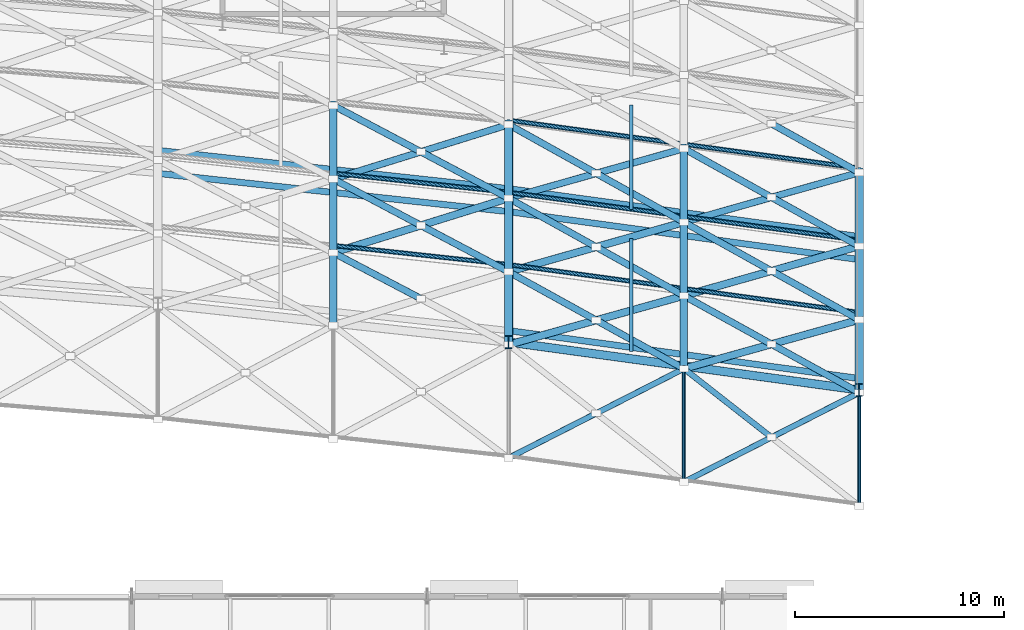
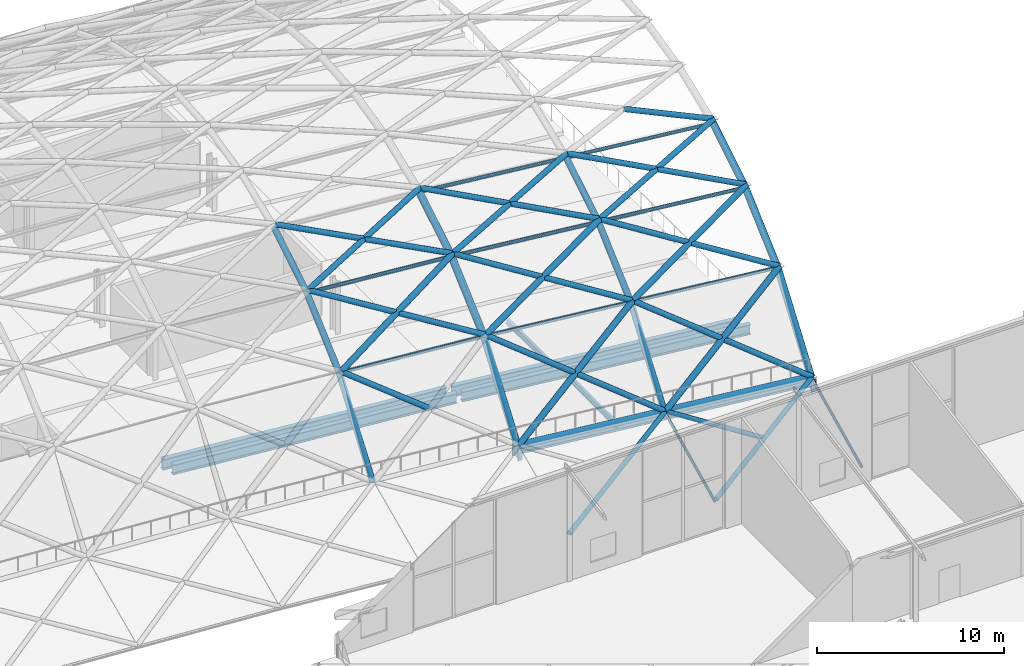
# One storey, part 53 of 100: 55 members, 7 beams.
"""IFC4 building model written with IfcOpenShell, lengths in metres."""

import ifcopenshell
import ifcopenshell.guid

model = None  # the IFC model being written
_history = None  # IfcOwnerHistory: only IFC2X3 demands one
_inside = {}  # id of a spatial element -> (the spatial element, [elements in it])
_under = {}  # id of a project, library or spatial element -> (it, [spatial elements below it])
_declared = {}  # id of a project -> (the project, [libraries it declares])
_typed = {}  # id of a type object -> (the type object, [elements of that type])
_made_of = {}  # id of a material, layer set ... -> (it, [elements and type objects made of it])


def new_model(schema):
    """Start an empty IFC model of exactly this schema.

    Asked for "IFC4X3", IfcOpenShell would pick the latest addendum, in which some entities
    have other attributes; the version numbers below select the first issue.
    IFC2X3 requires an IfcOwnerHistory on every rooted entity: one is made here for all.
    """
    global model, _history
    if schema == "IFC4X3":
        model = ifcopenshell.file(schema_version=(4, 3, 0, 0))
    else:
        model = ifcopenshell.file(schema=schema)
    _inside.clear()
    _under.clear()
    _declared.clear()
    _typed.clear()
    _made_of.clear()
    _history = None
    if model.schema == "IFC2X3":
        org = make("IfcOrganization", Name="unknown")
        user = make(
            "IfcPersonAndOrganization",
            ThePerson=make("IfcPerson", FamilyName="unknown"),
            TheOrganization=org,
        )
        app = make(
            "IfcApplication",
            ApplicationDeveloper=org,
            Version="unknown",
            ApplicationFullName="unknown",
            ApplicationIdentifier="unknown",
        )
        _history = make(
            "IfcOwnerHistory",
            OwningUser=user,
            OwningApplication=app,
            ChangeAction="ADDED",
            CreationDate=0,
        )
    return model


def make(cls, **values):
    """One entity of the class cls with the attributes given. An attribute that is None is left unset."""
    return model.create_entity(
        cls, **{name: value for name, value in values.items() if value is not None}
    )


def rooted(cls, **values):
    """An entity with a GlobalId (a new one), such as an element, a storey or a relation."""
    return make(cls, GlobalId=ifcopenshell.guid.new(), OwnerHistory=_history, **values)


def si_unit(unit_type, name, prefix=None):
    """IfcSIUnit, for example si_unit("LENGTHUNIT", "METRE", prefix="MILLI")."""
    return make("IfcSIUnit", UnitType=unit_type, Prefix=prefix, Name=name)


def assignment(units):
    """IfcUnitAssignment: the units of a project."""
    return None if units is None else make("IfcUnitAssignment", Units=units)


def point(xyz):
    """IfcCartesianPoint."""
    return None if xyz is None else make("IfcCartesianPoint", Coordinates=xyz)


def direction(xyz):
    """IfcDirection."""
    return None if xyz is None else make("IfcDirection", DirectionRatios=xyz)


def frame(location, z_axis=None, x_axis=None):
    """IfcAxis2Placement3D, a coordinate frame: its origin and axes. An axis left out is left unset."""
    return make(
        "IfcAxis2Placement3D",
        Location=point(location),
        Axis=direction(z_axis),
        RefDirection=direction(x_axis),
    )


def frame_2d(location, x_axis=None):
    """IfcAxis2Placement2D, a coordinate frame in the plane: its origin and x axis."""
    return make(
        "IfcAxis2Placement2D", Location=point(location), RefDirection=direction(x_axis)
    )


def origin():
    """The frame at (0, 0, 0) with its axes left unset."""
    return frame((0.0, 0.0, 0.0))


def origin_2d():
    """The frame at (0, 0) in the plane with its x axis left unset."""
    return frame_2d((0.0, 0.0))


def place(relative_to, where):
    """IfcLocalPlacement: puts the frame where relative to a parent placement (None: the world)."""
    return make(
        "IfcLocalPlacement", PlacementRelTo=relative_to, RelativePlacement=where
    )


def context(
    kind, dimensions, precision=None, world=None, true_north=None, identifier=None
):
    """IfcGeometricRepresentationContext, for example the 3D "Model" context."""
    return make(
        "IfcGeometricRepresentationContext",
        ContextIdentifier=identifier,
        ContextType=kind,
        CoordinateSpaceDimension=dimensions,
        Precision=precision,
        WorldCoordinateSystem=world,
        TrueNorth=true_north,
    )


def subcontext(parent, identifier, kind, view, scale=None):
    """IfcGeometricRepresentationSubContext, for example "Body" below "Model"."""
    return make(
        "IfcGeometricRepresentationSubContext",
        ContextIdentifier=identifier,
        ContextType=kind,
        ParentContext=parent,
        TargetScale=scale,
        TargetView=view,
    )


def project(units=None, contexts=None):
    """IfcProject with its units and contexts."""
    return rooted(
        "IfcProject",
        Name="project",
        RepresentationContexts=contexts,
        UnitsInContext=assignment(units),
    )


def spatial(cls, under=None, at=None, **own):
    """A site, building, storey or space (cls), placed at a placement, below another one or the project."""
    s = rooted(cls, ObjectPlacement=at, **own)
    if under is not None:
        _under.setdefault(under.id(), (under, []))[1].append(s)
    return s


def profile(cls, at=None, kind="AREA", **sizes):
    """A parametric profile (cls). Its sizes go by their IFC names, for example OverallWidth=200.0."""
    return make(cls, ProfileType=kind, Position=at, **sizes)


def hollow_circle(**sizes):
    """IfcCircleHollowProfileDef."""
    return profile("IfcCircleHollowProfileDef", **sizes)


def i_section(**sizes):
    """IfcIShapeProfileDef."""
    return profile("IfcIShapeProfileDef", **sizes)


def extrude(swept, where, along, depth):
    """IfcExtrudedAreaSolid: the profile swept, set in the frame where, extruded along a direction by depth."""
    return make(
        "IfcExtrudedAreaSolid",
        SweptArea=swept,
        Position=where,
        ExtrudedDirection=direction(along),
        Depth=depth,
    )


def shape(context_of_items, identifier, shape_type, items):
    """IfcShapeRepresentation: the items that make up one representation, for example the "Body"."""
    return make(
        "IfcShapeRepresentation",
        ContextOfItems=context_of_items,
        RepresentationIdentifier=identifier,
        RepresentationType=shape_type,
        Items=items,
    )


def material(Name=None, Category=None):
    """IfcMaterial."""
    return make("IfcMaterial", Name=Name, Category=Category)


def material_profile(
    of_material, cross_section, Name=None, Category=None, Priority=None
):
    """IfcMaterialProfile: a cross section and its material."""
    return make(
        "IfcMaterialProfile",
        Name=Name,
        Material=of_material,
        Profile=cross_section,
        Priority=Priority,
        Category=Category,
    )


def profile_set(profiles, Name=None, composite=None):
    """IfcMaterialProfileSet."""
    return make(
        "IfcMaterialProfileSet",
        Name=Name,
        MaterialProfiles=profiles,
        CompositeProfile=composite,
    )


def made_of(thing, what):
    """Note that an element or type object is made of a material, layer set ...; save() writes the relation."""
    if what is not None:
        _made_of.setdefault(what.id(), (what, []))[1].append(thing)
    return thing


def type_object(cls, material=None, **own):
    """A type object (cls), such as IfcWallType, which elements share."""
    return made_of(rooted(cls, **own), material)


def element(
    cls,
    number,
    at=None,
    inside=None,
    cuts=None,
    type_object=None,
    material=None,
    context=None,
    identifier="Body",
    shape_type=None,
    held_by="IfcProductDefinitionShape",
    body=None,
    shapes=None,
    **own,
):
    """One element of the class cls, such as IfcWall. Its Tag is "e" and its number.

    at: its placement. inside: the storey or other place that contains it. cuts: it is an
    opening in that element (IfcRelVoidsElement). A single representation is given by context,
    identifier, shape_type and body (its items); several are given by shapes. held_by: the class
    of the entity that holds the representations. save() writes the other relations.
    """
    e = rooted(cls, Tag="e%d" % number, ObjectPlacement=at, **own)
    if body is not None:
        shapes = [shape(context, identifier, shape_type, body)]
    if shapes is not None:
        e.Representation = make(held_by, Representations=shapes)
    if inside is not None:
        _inside.setdefault(inside.id(), (inside, []))[1].append(e)
    if cuts is not None:
        rooted(
            "IfcRelVoidsElement", RelatingBuildingElement=cuts, RelatedOpeningElement=e
        )
    if type_object is not None:
        _typed.setdefault(type_object.id(), (type_object, []))[1].append(e)
    return made_of(e, material)


def aggregate(whole, parts):
    """IfcRelAggregates: a whole, such as a stair, and the parts it consists of."""
    return rooted("IfcRelAggregates", RelatingObject=whole, RelatedObjects=parts)


def save(model, path):
    """Write the relations noted so far, then the file.

    IfcRelAggregates (storeys below a building ...), IfcRelContainedInSpatialStructure (elements
    in a storey), IfcRelDefinesByType, IfcRelAssociatesMaterial and IfcRelDeclares: one each for
    every whole, place, type object, material and project.
    """
    for whole, parts in _under.values():
        aggregate(whole, parts)
    for where, things in _inside.values():
        rooted(
            "IfcRelContainedInSpatialStructure",
            RelatedElements=things,
            RelatingStructure=where,
        )
    for kind, things in _typed.values():
        rooted("IfcRelDefinesByType", RelatedObjects=things, RelatingType=kind)
    for what, things in _made_of.values():
        rooted("IfcRelAssociatesMaterial", RelatedObjects=things, RelatingMaterial=what)
    for by, libraries in _declared.values():
        rooted("IfcRelDeclares", RelatingContext=by, RelatedDefinitions=libraries)
    model.write(path)


model = new_model("IFC4")

# Units and contexts
model_context = context("Model", 3, precision=1e-05, world=origin(), true_north=direction((0.0, 1.0)))
body_context = subcontext(model_context, "Body", "Model", "MODEL_VIEW")
ifc_project = project(units=[si_unit("LENGTHUNIT", "METRE"), si_unit("AREAUNIT", "SQUARE_METRE"), si_unit("VOLUMEUNIT", "CUBIC_METRE"), si_unit("PLANEANGLEUNIT", "RADIAN"), si_unit("MASSUNIT", "GRAM", prefix="KILO")], contexts=[model_context])

# Site, building, storey
site_placement = place(None, origin())
site = spatial("IfcSite", under=ifc_project, at=site_placement, CompositionType="ELEMENT")
building_placement = place(site_placement, origin())
building = spatial("IfcBuilding", under=site, at=building_placement, Name="Kimbaza Rail Terminus", CompositionType="ELEMENT")
storey_placement = place(building_placement, frame((0.0, 0.0, 10.800048828125)))
storey = spatial("IfcBuildingStorey", under=building, at=storey_placement, Name="L02", CompositionType="ELEMENT", Elevation=10.800048828125)

# Beams
ifc_material_1 = material(Name="Steel S355", Category="steel")
ifc_material_profile_1 = material_profile(ifc_material_1, i_section(OverallWidth=0.300048828125, OverallDepth=0.64990234375, WebThickness=0.01611328125, FlangeThickness=0.031005859375, FilletRadius=0.027099609375, at=origin_2d()), Name="HEB 650")
ifc_profile_set_1 = profile_set([ifc_material_profile_1], Name="Steel S355")
beam_type_1 = type_object("IfcBeamType", Name="STR-BM-HEB650", PredefinedType="USERDEFINED", material=ifc_profile_set_1)
beam_1_placement = place(storey_placement, frame((172.944091796875, 58.23974609375, -0.5849609375), z_axis=(0.994106987183, -0.108403404165, 0.0), x_axis=(0.108403404165, 0.994106987183, 0.0)))
element("IfcBeam", 1, at=beam_1_placement, inside=storey, type_object=beam_type_1, Name="Viaduct Chorded Girder P1 Bay 10", ObjectType="GIRDER", PredefinedType="USERDEFINED", context=body_context, shape_type="SweptSolid", body=[
    extrude(i_section(OverallWidth=0.300048828125, OverallDepth=0.64990234375, WebThickness=0.01611328125, FlangeThickness=0.031005859375, FilletRadius=0.027099609375, at=origin_2d()), origin(), (0.0, 0.0, 1.0), 16.609619140625),
])
for number, where, z_axis, x_axis, name in (
    (2, (189.74365234375, 50.703857421875, -0.5849609375), (0.990777321611, -0.135500180745, 0.0), (0.135500180745, 0.990777321611, 0.0), "Viaduct Chorded Girder P1 Bay 11"),
    (3, (189.74365234375, 56.404052734375, -0.5849609375), (0.990777321611, -0.135500180745, 0.0), (0.135500180745, 0.990777321611, 0.0), "Viaduct Chorded Girder P1 Bay 11"),
):
    element("IfcBeam", number, at=place(storey_placement, frame(where, z_axis=z_axis, x_axis=x_axis)), inside=storey, type_object=beam_type_1, Name=name, ObjectType="GIRDER", PredefinedType="USERDEFINED", context=body_context, shape_type="SweptSolid", body=[
        extrude(i_section(OverallWidth=0.300048828125, OverallDepth=0.64990234375, WebThickness=0.01611328125, FlangeThickness=0.031005859375, FilletRadius=0.027099609375, at=origin_2d()), origin(), (0.0, 0.0, 1.0), 16.66650390625),
    ])
ifc_material_2 = material(Name="Steel S355", Category="steel")
ifc_material_profile_2 = material_profile(ifc_material_2, i_section(OverallWidth=0.300048828125, OverallDepth=0.699951171875, WebThickness=0.01708984375, FlangeThickness=0.031982421875, FilletRadius=0.027099609375, at=origin_2d()), Name="HEB 700")
ifc_profile_set_2 = profile_set([ifc_material_profile_2], Name="Steel S355")
beam_type_2 = type_object("IfcBeamType", Name="STR-BM-HEB700", PredefinedType="USERDEFINED", material=ifc_profile_set_2)
beam_2_placement = place(storey_placement, frame((172.944091796875, 59.339599609375, -0.920166015625), z_axis=(0.994108571086, -0.108388878093, 0.0), x_axis=(0.108388878093, 0.994108571086, 0.0)))
element("IfcBeam", 4, at=beam_2_placement, inside=storey, type_object=beam_type_2, Name="Viaduct Chorded Girder TR12 Bay 10", ObjectType="GIRDER", PredefinedType="USERDEFINED", context=body_context, shape_type="SweptSolid", body=[
    extrude(i_section(OverallWidth=0.300048828125, OverallDepth=0.699951171875, WebThickness=0.01708984375, FlangeThickness=0.031982421875, FilletRadius=0.027099609375, at=origin_2d()), origin(), (0.0, 0.0, 1.0), 16.609619140625),
])
beam_3_placement = place(storey_placement, frame((189.74365234375, 57.50390625, -0.920166015625), z_axis=(0.990777321611, -0.135500180745, 0.0), x_axis=(0.135500180745, 0.990777321611, 0.0)))
element("IfcBeam", 5, at=beam_3_placement, inside=storey, type_object=beam_type_2, Name="Viaduct Chorded Girder TR12 Bay 11", ObjectType="GIRDER", PredefinedType="USERDEFINED", context=body_context, shape_type="SweptSolid", body=[
    extrude(i_section(OverallWidth=0.300048828125, OverallDepth=0.699951171875, WebThickness=0.01708984375, FlangeThickness=0.031982421875, FilletRadius=0.027099609375, at=origin_2d()), origin(), (0.0, 0.0, 1.0), 16.66650390625),
])
ifc_material_3 = material(Name="Steel S355", Category="steel")
ifc_material_profile_3 = material_profile(ifc_material_3, i_section(OverallWidth=0.169921875, OverallDepth=0.360107421875, WebThickness=0.008056640625, FlangeThickness=0.0126953125, FilletRadius=0.01806640625, at=origin_2d()), Name="IPE 360")
ifc_profile_set_3 = profile_set([ifc_material_profile_3], Name="Steel S355")
beam_type_3 = type_object("IfcBeamType", Name="STR-BM-IPE360", PredefinedType="JOIST", material=ifc_profile_set_3)
beam_4_placement = place(storey_placement, frame((195.47998046875, 49.7197265625, -0.43994140625), z_axis=(0.0, 1.0, 0.0), x_axis=(-1.0, 0.0, 0.0)))
element("IfcBeam", 6, at=beam_4_placement, inside=storey, type_object=beam_type_3, Name="Viaduct Diaphragm P1 Bay 11", PredefinedType="JOIST", context=body_context, shape_type="SweptSolid", body=[
    extrude(i_section(OverallWidth=0.169921875, OverallDepth=0.360107421875, WebThickness=0.008056640625, FlangeThickness=0.0126953125, FilletRadius=0.01806640625, at=origin_2d()), origin(), (0.0, 0.0, 1.0), 5.41015625),
])
beam_5_placement = place(storey_placement, frame((195.47998046875, 56.519775390625, -0.75), z_axis=(0.0, 1.0, 0.0), x_axis=(-1.0, 0.0, 0.0)))
element("IfcBeam", 7, at=beam_5_placement, inside=storey, type_object=beam_type_3, Name="Viaduct Diaphragm TR12 Bay 11", PredefinedType="JOIST", context=body_context, shape_type="SweptSolid", body=[
    extrude(i_section(OverallWidth=0.169921875, OverallDepth=0.360107421875, WebThickness=0.008056640625, FlangeThickness=0.0126953125, FilletRadius=0.01806640625, at=origin_2d()), origin(), (0.0, 0.0, 1.0), 5.010009765625),
])

# Members
ifc_material_4 = material(Name="White painted steel S355", Category="steel")
ifc_material_profile_4 = material_profile(ifc_material_4, hollow_circle(Radius=0.084228515625, WallThickness=0.00634765625, at=origin_2d()), Name="CHS 168.3x6.3")
ifc_profile_set_4 = profile_set([ifc_material_profile_4], Name="White painted steel S355")
member_type_1 = type_object("IfcMemberType", Name="STR-MB-CHS168", PredefinedType="RAFTER", material=ifc_profile_set_4)
for number, where, z_axis, x_axis, name in (
    (8, (198.0, 43.574462890625, -2.609375), (0.0, 0.901963905621, 0.431811432174), (-1.0, 0.0, 0.0), "Vault lattice arch chord VR-21 seg 1"),
    (9, (206.39990234375, 42.425537109375, -2.609375), (0.0, 0.901963905621, 0.431811432174), (-1.0, 0.0, 0.0), "Vault lattice arch chord VR-22 seg 1"),
):
    element("IfcMember", number, at=place(storey_placement, frame(where, z_axis=z_axis, x_axis=x_axis)), inside=storey, type_object=member_type_1, Name=name, PredefinedType="RAFTER", context=body_context, shape_type="SweptSolid", body=[
        extrude(hollow_circle(Radius=0.084228515625, WallThickness=0.00634765625, at=origin_2d()), origin(), (0.0, 0.0, 1.0), 6.04296875),
    ])
ifc_material_5 = material(Name="White painted steel S355", Category="steel")
ifc_material_profile_5 = material_profile(ifc_material_5, hollow_circle(Radius=0.109619140625, WallThickness=0.008056640625, at=origin_2d()), Name="CHS 219.1x8")
ifc_profile_set_5 = profile_set([ifc_material_profile_5], Name="White painted steel S355")
member_type_2 = type_object("IfcMemberType", Name="STR-MB-CHS219", PredefinedType="PURLIN", material=ifc_profile_set_5)
for number, where, z_axis, x_axis, name in (
    (10, (181.199951171875, 54.80419921875, 4.85205078125), (0.994109932891, -0.108376387313, 0.0), (0.108376387313, 0.994109932891, 0.0), "Vault lattice longitudinal purlin VR-19-VA02"),
    (11, (181.199951171875, 58.26123046875, 7.9716796875), (0.994109932891, -0.108376387313, 0.0), (0.108376387313, 0.994109932891, 0.0), "Vault lattice longitudinal purlin VR-19-VA03"),
):
    element("IfcMember", number, at=place(storey_placement, frame(where, z_axis=z_axis, x_axis=x_axis)), inside=storey, type_object=member_type_2, Name=name, PredefinedType="PURLIN", context=body_context, shape_type="SweptSolid", body=[
        extrude(hollow_circle(Radius=0.109619140625, WallThickness=0.008056640625, at=origin_2d()), origin(), (0.0, 0.0, 1.0), 8.449951171875),
    ])
for number, where, z_axis, x_axis, name in (
    (12, (189.60009765625, 53.888427734375, 4.85205078125), (0.990775062808, -0.135516696087, 0.0), (0.135516696087, 0.990775062808, 0.0), "Vault lattice longitudinal purlin VR-20-VA02"),
    (13, (189.60009765625, 57.345458984375, 7.9716796875), (0.990775062808, -0.135516696087, 0.0), (0.135516696087, 0.990775062808, 0.0), "Vault lattice longitudinal purlin VR-20-VA03"),
    (14, (189.60009765625, 60.802490234375, 10.078857421875), (0.990778928837, -0.135488428186, 0.0), (0.135488428186, 0.990778928837, 0.0), "Vault lattice longitudinal purlin VR-20-VA04"),
    (15, (198.0, 52.739501953125, 4.85205078125), (0.990778928837, -0.135488428186, 0.0), (0.135488428186, 0.990778928837, 0.0), "Vault lattice longitudinal purlin VR-21-VA02"),
    (16, (198.0, 56.196533203125, 7.9716796875), (0.990778928837, -0.135488428186, 0.0), (0.135488428186, 0.990778928837, 0.0), "Vault lattice longitudinal purlin VR-21-VA03"),
    (17, (198.0, 59.65380859375, 10.078857421875), (0.990775062808, -0.135516696087, 0.0), (0.135516696087, 0.990775062808, 0.0), "Vault lattice longitudinal purlin VR-21-VA04"),
):
    element("IfcMember", number, at=place(storey_placement, frame(where, z_axis=z_axis, x_axis=x_axis)), inside=storey, type_object=member_type_2, Name=name, PredefinedType="PURLIN", context=body_context, shape_type="SweptSolid", body=[
        extrude(hollow_circle(Radius=0.109619140625, WallThickness=0.008056640625, at=origin_2d()), origin(), (0.0, 0.0, 1.0), 8.47802734375),
    ])
ifc_material_6 = material(Name="White painted steel S355", Category="steel")
ifc_material_profile_6 = material_profile(ifc_material_6, hollow_circle(Radius=0.136474609375, WallThickness=0.010009765625, at=origin_2d()), Name="CHS 273x10")
ifc_profile_set_6 = profile_set([ifc_material_profile_6], Name="White painted steel S355")
member_type_3 = type_object("IfcMemberType", Name="STR-MB-CHS273", PredefinedType="STRUT", material=ifc_profile_set_6)
for number, where, z_axis, x_axis, name in (
    (18, (189.60009765625, 44.61572265625, -2.37255859375), (0.862472179938, 0.439934510199, 0.250198652211), (-0.454386489216, 0.890804646608, 0.0), "Vault lattice diagonal A VR-20-VA00"),
    (19, (198.0, 43.467041015625, -2.37255859375), (0.862472179938, 0.439934510199, 0.250198652211), (-0.454386489216, 0.890804646608, 0.0), "Vault lattice diagonal A VR-21-VA00"),
):
    element("IfcMember", number, at=place(storey_placement, frame(where, z_axis=z_axis, x_axis=x_axis)), inside=storey, type_object=member_type_3, Name=name, PredefinedType="STRUT", context=body_context, shape_type="SweptSolid", body=[
        extrude(hollow_circle(Radius=0.136474609375, WallThickness=0.010009765625, at=origin_2d()), origin(), (0.0, 0.0, 1.0), 9.7392578125),
    ])
member_1_placement = place(storey_placement, frame((202.199951171875, 45.609375, -1.154296875), z_axis=(-0.767376747594, 0.6013043398, 0.222634270025), x_axis=(-0.616784371104, -0.787132161432, 0.0)))
element("IfcMember", 20, at=member_1_placement, inside=storey, type_object=member_type_3, Name="Vault lattice diagonal B2 VR-21-VA00", PredefinedType="STRUT", context=body_context, shape_type="SweptSolid", body=[
    extrude(hollow_circle(Radius=0.136474609375, WallThickness=0.010009765625, at=origin_2d()), origin(), (0.0, 0.0, 1.0), 5.47314453125),
])
ifc_material_7 = material(Name="White painted steel S355", Category="steel")
ifc_material_profile_7 = material_profile(ifc_material_7, hollow_circle(Radius=0.161865234375, WallThickness=0.010009765625, at=origin_2d()), Name="CHS 323.9x10")
ifc_profile_set_7 = profile_set([ifc_material_profile_7], Name="White painted steel S355")
member_type_4 = type_object("IfcMemberType", Name="STR-MB-CHS323", PredefinedType="STRUT", material=ifc_profile_set_7)
member_2_placement = place(storey_placement, frame((185.39990234375, 52.252685546875, 2.615966796875), z_axis=(-0.779817656021, 0.409151552825, 0.473792602495), x_axis=(-0.464608919448, -0.88551598064, 0.0)))
element("IfcMember", 21, at=member_2_placement, inside=storey, type_object=member_type_4, Name="Vault lattice diagonal B2 VR-19-VA01", PredefinedType="STRUT", context=body_context, shape_type="SweptSolid", body=[
    extrude(hollow_circle(Radius=0.161865234375, WallThickness=0.010009765625, at=origin_2d()), origin(), (0.0, 0.0, 1.0), 5.3857421875),
])
for number, where, z_axis, x_axis, name in (
    (22, (189.60009765625, 53.540283203125, 5.167724609375), (-0.838237197066, 0.443285399843, 0.317579054317), (-0.467486326026, -0.884000302589, 0.0), "Vault lattice diagonal B1 VR-19-VA02"),
    (23, (185.39990234375, 55.761474609375, 6.759033203125), (-0.83820460174, 0.443342653678, 0.317585165037), (-0.467547714731, -0.883967835642, 0.0), "Vault lattice diagonal B2 VR-19-VA02"),
):
    element("IfcMember", number, at=place(storey_placement, frame(where, z_axis=z_axis, x_axis=x_axis)), inside=storey, type_object=member_type_4, Name=name, PredefinedType="STRUT", context=body_context, shape_type="SweptSolid", body=[
        extrude(hollow_circle(Radius=0.161865234375, WallThickness=0.010009765625, at=origin_2d()), origin(), (0.0, 0.0, 1.0), 5.0107421875),
    ])
member_3_placement = place(storey_placement, frame((181.199951171875, 57.98291015625, 8.350341796875), z_axis=(0.927654278629, 0.288296195582, 0.237366473946), x_axis=(-0.296778060516, 0.95494648164, 0.0)))
element("IfcMember", 24, at=member_3_placement, inside=storey, type_object=member_type_4, Name="Vault lattice diagonal A VR-19-VA03", PredefinedType="STRUT", context=body_context, shape_type="SweptSolid", body=[
    extrude(hollow_circle(Radius=0.161865234375, WallThickness=0.010009765625, at=origin_2d()), origin(), (0.0, 0.0, 1.0), 9.05517578125),
])
member_4_placement = place(storey_placement, frame((189.60009765625, 57.06689453125, 8.350341796875), z_axis=(-0.862199364822, 0.456007441323, 0.220611578932), x_axis=(-0.467526478486, -0.883979067577, 0.0)))
element("IfcMember", 25, at=member_4_placement, inside=storey, type_object=member_type_4, Name="Vault lattice diagonal B1 VR-19-VA03", PredefinedType="STRUT", context=body_context, shape_type="SweptSolid", body=[
    extrude(hollow_circle(Radius=0.161865234375, WallThickness=0.010009765625, at=origin_2d()), origin(), (0.0, 0.0, 1.0), 4.87158203125),
])
member_5_placement = place(storey_placement, frame((185.39990234375, 59.288330078125, 9.425048828125), z_axis=(-0.862206208714, 0.455987449101, 0.220626154203), x_axis=(-0.467507561467, -0.883989072314, 0.0)))
element("IfcMember", 26, at=member_5_placement, inside=storey, type_object=member_type_4, Name="Vault lattice diagonal B2 VR-19-VA03", PredefinedType="STRUT", context=body_context, shape_type="SweptSolid", body=[
    extrude(hollow_circle(Radius=0.161865234375, WallThickness=0.010009765625, at=origin_2d()), origin(), (0.0, 0.0, 1.0), 4.87109375),
])
member_6_placement = place(storey_placement, frame((198.0, 48.900390625, 0.064208984375), z_axis=(-0.772846224384, 0.426878150561, 0.4695569806), x_axis=(-0.483494281718, -0.875347519301, 0.0)))
element("IfcMember", 27, at=member_6_placement, inside=storey, type_object=member_type_4, Name="Vault lattice diagonal B1 VR-20-VA01", PredefinedType="STRUT", context=body_context, shape_type="SweptSolid", body=[
    extrude(hollow_circle(Radius=0.161865234375, WallThickness=0.010009765625, at=origin_2d()), origin(), (0.0, 0.0, 1.0), 5.434326171875),
])
member_7_placement = place(storey_placement, frame((193.800048828125, 51.22021484375, 2.615966796875), z_axis=(-0.772831402743, 0.426914888116, 0.469547975439), x_axis=(-0.483533268851, -0.875325983799, 0.0)))
element("IfcMember", 28, at=member_7_placement, inside=storey, type_object=member_type_4, Name="Vault lattice diagonal B2 VR-20-VA01", PredefinedType="STRUT", context=body_context, shape_type="SweptSolid", body=[
    extrude(hollow_circle(Radius=0.161865234375, WallThickness=0.010009765625, at=origin_2d()), origin(), (0.0, 0.0, 1.0), 5.4345703125),
])
for number, where, z_axis, x_axis, name in (
    (29, (198.0, 52.3916015625, 5.167724609375), (-0.829498011625, 0.461689441453, 0.314286347717), (-0.486332783542, -0.873773668436, 0.0), "Vault lattice diagonal B1 VR-20-VA02"),
    (30, (193.800048828125, 54.729248046875, 6.759033203125), (-0.829498011625, 0.461689441453, 0.314286347717), (-0.486332783542, -0.873773668436, 0.0), "Vault lattice diagonal B2 VR-20-VA02"),
):
    element("IfcMember", number, at=place(storey_placement, frame(where, z_axis=z_axis, x_axis=x_axis)), inside=storey, type_object=member_type_4, Name=name, PredefinedType="STRUT", context=body_context, shape_type="SweptSolid", body=[
        extrude(hollow_circle(Radius=0.161865234375, WallThickness=0.010009765625, at=origin_2d()), origin(), (0.0, 0.0, 1.0), 5.063232421875),
    ])
member_8_placement = place(storey_placement, frame((189.60009765625, 57.06689453125, 8.350341796875), z_axis=(0.934286738554, 0.264487381082, 0.239070523927), x_axis=(-0.272385973351, 0.962188069725, 0.0)))
element("IfcMember", 31, at=member_8_placement, inside=storey, type_object=member_type_4, Name="Vault lattice diagonal A VR-20-VA03", PredefinedType="STRUT", context=body_context, shape_type="SweptSolid", body=[
    extrude(hollow_circle(Radius=0.161865234375, WallThickness=0.010009765625, at=origin_2d()), origin(), (0.0, 0.0, 1.0), 8.99072265625),
])
for number, where, z_axis, x_axis, name in (
    (32, (198.0, 55.918212890625, 8.350341796875), (-0.852719545085, 0.474614290774, 0.218198653576), (-0.486332783542, -0.873773668436, 0.0), "Vault lattice diagonal B1 VR-20-VA03"),
    (33, (193.800048828125, 58.255859375, 9.425048828125), (-0.852719545085, 0.474614290774, 0.218198653576), (-0.486332783542, -0.873773668436, 0.0), "Vault lattice diagonal B2 VR-20-VA03"),
):
    element("IfcMember", number, at=place(storey_placement, frame(where, z_axis=z_axis, x_axis=x_axis)), inside=storey, type_object=member_type_4, Name=name, PredefinedType="STRUT", context=body_context, shape_type="SweptSolid", body=[
        extrude(hollow_circle(Radius=0.161865234375, WallThickness=0.010009765625, at=origin_2d()), origin(), (0.0, 0.0, 1.0), 4.92529296875),
    ])
member_9_placement = place(storey_placement, frame((206.39990234375, 47.751708984375, 0.064208984375), z_axis=(-0.772846224384, 0.426878150561, 0.4695569806), x_axis=(-0.483494281718, -0.875347519301, 0.0)))
element("IfcMember", 34, at=member_9_placement, inside=storey, type_object=member_type_4, Name="Vault lattice diagonal B1 VR-21-VA01", PredefinedType="STRUT", context=body_context, shape_type="SweptSolid", body=[
    extrude(hollow_circle(Radius=0.161865234375, WallThickness=0.010009765625, at=origin_2d()), origin(), (0.0, 0.0, 1.0), 5.434326171875),
])
member_10_placement = place(storey_placement, frame((202.199951171875, 50.071533203125, 2.615966796875), z_axis=(-0.772831402743, 0.426914888116, 0.469547975439), x_axis=(-0.483533268851, -0.875325983799, 0.0)))
element("IfcMember", 35, at=member_10_placement, inside=storey, type_object=member_type_4, Name="Vault lattice diagonal B2 VR-21-VA01", PredefinedType="STRUT", context=body_context, shape_type="SweptSolid", body=[
    extrude(hollow_circle(Radius=0.161865234375, WallThickness=0.010009765625, at=origin_2d()), origin(), (0.0, 0.0, 1.0), 5.4345703125),
])
member_11_placement = place(storey_placement, frame((206.39990234375, 51.24267578125, 5.167724609375), z_axis=(-0.829498011625, 0.461689441453, 0.314286347717), x_axis=(-0.486332783542, -0.873773668436, 0.0)))
element("IfcMember", 36, at=member_11_placement, inside=storey, type_object=member_type_4, Name="Vault lattice diagonal B1 VR-21-VA02", PredefinedType="STRUT", context=body_context, shape_type="SweptSolid", body=[
    extrude(hollow_circle(Radius=0.161865234375, WallThickness=0.010009765625, at=origin_2d()), origin(), (0.0, 0.0, 1.0), 5.063232421875),
])
member_12_placement = place(storey_placement, frame((202.199951171875, 53.580322265625, 6.759033203125), z_axis=(-0.829479545124, 0.461727380347, 0.314279350992), x_axis=(-0.486371560754, -0.873752084341, 0.0)))
element("IfcMember", 37, at=member_12_placement, inside=storey, type_object=member_type_4, Name="Vault lattice diagonal B2 VR-21-VA02", PredefinedType="STRUT", context=body_context, shape_type="SweptSolid", body=[
    extrude(hollow_circle(Radius=0.161865234375, WallThickness=0.010009765625, at=origin_2d()), origin(), (0.0, 0.0, 1.0), 5.0634765625),
])
member_13_placement = place(storey_placement, frame((198.0, 55.918212890625, 8.350341796875), z_axis=(0.934286738554, 0.264487381082, 0.239070523927), x_axis=(-0.272385973351, 0.962188069725, 0.0)))
element("IfcMember", 38, at=member_13_placement, inside=storey, type_object=member_type_4, Name="Vault lattice diagonal A VR-21-VA03", PredefinedType="STRUT", context=body_context, shape_type="SweptSolid", body=[
    extrude(hollow_circle(Radius=0.161865234375, WallThickness=0.010009765625, at=origin_2d()), origin(), (0.0, 0.0, 1.0), 8.99072265625),
])
member_14_placement = place(storey_placement, frame((206.39990234375, 54.769287109375, 8.350341796875), z_axis=(-0.852699483908, 0.474652691851, 0.21819352021), x_axis=(-0.486371560754, -0.873752084341, 0.0)))
element("IfcMember", 39, at=member_14_placement, inside=storey, type_object=member_type_4, Name="Vault lattice diagonal B1 VR-21-VA03", PredefinedType="STRUT", context=body_context, shape_type="SweptSolid", body=[
    extrude(hollow_circle(Radius=0.161865234375, WallThickness=0.010009765625, at=origin_2d()), origin(), (0.0, 0.0, 1.0), 4.925537109375),
])
member_15_placement = place(storey_placement, frame((202.199951171875, 57.107177734375, 9.425048828125), z_axis=(-0.852719545085, 0.474614290774, 0.218198653576), x_axis=(-0.486332783542, -0.873773668436, 0.0)))
element("IfcMember", 40, at=member_15_placement, inside=storey, type_object=member_type_4, Name="Vault lattice diagonal B2 VR-21-VA03", PredefinedType="STRUT", context=body_context, shape_type="SweptSolid", body=[
    extrude(hollow_circle(Radius=0.161865234375, WallThickness=0.010009765625, at=origin_2d()), origin(), (0.0, 0.0, 1.0), 4.92529296875),
])
member_16_placement = place(storey_placement, frame((206.39990234375, 58.296142578125, 10.499755859375), z_axis=(-0.864503235917, 0.481172963082, 0.145281570368), x_axis=(-0.486332783542, -0.873773668436, 0.0)))
element("IfcMember", 41, at=member_16_placement, inside=storey, type_object=member_type_4, Name="Vault lattice diagonal B1 VR-21-VA04", PredefinedType="STRUT", context=body_context, shape_type="SweptSolid", body=[
    extrude(hollow_circle(Radius=0.161865234375, WallThickness=0.010009765625, at=origin_2d()), origin(), (0.0, 0.0, 1.0), 4.858154296875),
])
ifc_material_8 = material(Name="White painted steel S355", Category="steel")
ifc_material_profile_8 = material_profile(ifc_material_8, hollow_circle(Radius=0.177734375, WallThickness=0.012451171875, at=origin_2d()), Name="CHS 355.6x12.5")
ifc_profile_set_8 = profile_set([ifc_material_profile_8], Name="White painted steel S355")
member_type_5 = type_object("IfcMemberType", Name="STR-MB-CHS355", PredefinedType="CHORD", material=ifc_profile_set_8)
member_17_placement = place(storey_placement, frame((181.199951171875, 51.089599609375, 0.0), z_axis=(0.0, 0.585733481953, 0.810503724926), x_axis=(-1.0, 0.0, 0.0)))
element("IfcMember", 42, at=member_17_placement, inside=storey, type_object=member_type_5, Name="Vault lattice arch chord VR-19 seg 2", PredefinedType="CHORD", context=body_context, shape_type="SweptSolid", body=[
    extrude(hollow_circle(Radius=0.177734375, WallThickness=0.012451171875, at=origin_2d()), origin(), (0.0, 0.0, 1.0), 6.127197265625),
])
member_18_placement = place(storey_placement, frame((181.199951171875, 54.678466796875, 4.966064453125), z_axis=(0.0, 0.742379857618, 0.669979213859), x_axis=(-1.0, 0.0, 0.0)))
element("IfcMember", 43, at=member_18_placement, inside=storey, type_object=member_type_5, Name="Vault lattice arch chord VR-19 seg 3", PredefinedType="CHORD", context=body_context, shape_type="SweptSolid", body=[
    extrude(hollow_circle(Radius=0.177734375, WallThickness=0.012451171875, at=origin_2d()), origin(), (0.0, 0.0, 1.0), 4.690673828125),
])
member_19_placement = place(storey_placement, frame((181.199951171875, 58.16064453125, 8.108642578125), z_axis=(0.0, 0.853901304322, 0.520434974302), x_axis=(-1.0, 0.0, 0.0)))
element("IfcMember", 44, at=member_19_placement, inside=storey, type_object=member_type_5, Name="Vault lattice arch chord VR-19 seg 4", PredefinedType="CHORD", context=body_context, shape_type="SweptSolid", body=[
    extrude(hollow_circle(Radius=0.177734375, WallThickness=0.012451171875, at=origin_2d()), origin(), (0.0, 0.0, 1.0), 4.077880859375),
])
member_20_placement = place(storey_placement, frame((198.0, 49.02490234375, 0.0), z_axis=(0.0, 0.585733481953, 0.810503724926), x_axis=(-1.0, 0.0, 0.0)))
element("IfcMember", 45, at=member_20_placement, inside=storey, type_object=member_type_5, Name="Vault lattice arch chord VR-21 seg 2", PredefinedType="CHORD", context=body_context, shape_type="SweptSolid", body=[
    extrude(hollow_circle(Radius=0.177734375, WallThickness=0.012451171875, at=origin_2d()), origin(), (0.0, 0.0, 1.0), 6.127197265625),
])
member_21_placement = place(storey_placement, frame((198.0, 52.61376953125, 4.966064453125), z_axis=(0.0, 0.742379857618, 0.669979213859), x_axis=(-1.0, 0.0, 0.0)))
element("IfcMember", 46, at=member_21_placement, inside=storey, type_object=member_type_5, Name="Vault lattice arch chord VR-21 seg 3", PredefinedType="CHORD", context=body_context, shape_type="SweptSolid", body=[
    extrude(hollow_circle(Radius=0.177734375, WallThickness=0.012451171875, at=origin_2d()), origin(), (0.0, 0.0, 1.0), 4.690673828125),
])
member_22_placement = place(storey_placement, frame((198.0, 56.095947265625, 8.108642578125), z_axis=(0.0, 0.853901304322, 0.520434974302), x_axis=(-1.0, 0.0, 0.0)))
element("IfcMember", 47, at=member_22_placement, inside=storey, type_object=member_type_5, Name="Vault lattice arch chord VR-21 seg 4", PredefinedType="CHORD", context=body_context, shape_type="SweptSolid", body=[
    extrude(hollow_circle(Radius=0.177734375, WallThickness=0.012451171875, at=origin_2d()), origin(), (0.0, 0.0, 1.0), 4.077880859375),
])
member_23_placement = place(storey_placement, frame((181.199951171875, 54.456298828125, 5.167724609375), z_axis=(0.897978935304, 0.279073698817, 0.34022301859), x_axis=(-0.296778060516, 0.95494648164, 0.0)))
element("IfcMember", 48, at=member_23_placement, inside=storey, type_object=member_type_5, Name="Vault lattice diagonal A VR-19-VA02", PredefinedType="CHORD", context=body_context, shape_type="SweptSolid", body=[
    extrude(hollow_circle(Radius=0.177734375, WallThickness=0.012451171875, at=origin_2d()), origin(), (0.0, 0.0, 1.0), 9.3544921875),
])
member_24_placement = place(storey_placement, frame((189.60009765625, 50.049072265625, 0.064208984375), z_axis=(0.83134075818, 0.231840800289, 0.505096413678), x_axis=(-0.268625604824, 0.963244664887, 0.0)))
element("IfcMember", 49, at=member_24_placement, inside=storey, type_object=member_type_5, Name="Vault lattice diagonal A VR-20-VA01", PredefinedType="CHORD", context=body_context, shape_type="SweptSolid", body=[
    extrude(hollow_circle(Radius=0.177734375, WallThickness=0.012451171875, at=origin_2d()), origin(), (0.0, 0.0, 1.0), 10.10400390625),
])
member_25_placement = place(storey_placement, frame((189.60009765625, 53.540283203125, 5.167724609375), z_axis=(0.903989284576, 0.255910470028, 0.342510152698), x_axis=(-0.272385973351, 0.962188069725, 0.0)))
element("IfcMember", 50, at=member_25_placement, inside=storey, type_object=member_type_5, Name="Vault lattice diagonal A VR-20-VA02", PredefinedType="CHORD", context=body_context, shape_type="SweptSolid", body=[
    extrude(hollow_circle(Radius=0.177734375, WallThickness=0.012451171875, at=origin_2d()), origin(), (0.0, 0.0, 1.0), 9.2919921875),
])
member_26_placement = place(storey_placement, frame((198.0, 48.900390625, 0.064208984375), z_axis=(0.831345415058, 0.231817936176, 0.50509924305), x_axis=(-0.268599628329, 0.963251908724, 0.0)))
element("IfcMember", 51, at=member_26_placement, inside=storey, type_object=member_type_5, Name="Vault lattice diagonal A VR-21-VA01", PredefinedType="CHORD", context=body_context, shape_type="SweptSolid", body=[
    extrude(hollow_circle(Radius=0.177734375, WallThickness=0.012451171875, at=origin_2d()), origin(), (0.0, 0.0, 1.0), 10.10400390625),
])
member_27_placement = place(storey_placement, frame((198.0, 52.3916015625, 5.167724609375), z_axis=(0.903995362602, 0.255885916305, 0.342512455586), x_axis=(-0.272360082241, 0.962195398868, 0.0)))
element("IfcMember", 52, at=member_27_placement, inside=storey, type_object=member_type_5, Name="Vault lattice diagonal A VR-21-VA02", PredefinedType="CHORD", context=body_context, shape_type="SweptSolid", body=[
    extrude(hollow_circle(Radius=0.177734375, WallThickness=0.012451171875, at=origin_2d()), origin(), (0.0, 0.0, 1.0), 9.2919921875),
])
ifc_material_9 = material(Name="White painted steel S355", Category="steel")
ifc_material_profile_9 = material_profile(ifc_material_9, hollow_circle(Radius=0.203125, WallThickness=0.01416015625, at=origin_2d()), Name="CHS 406.4x14.2")
ifc_profile_set_9 = profile_set([ifc_material_profile_9], Name="White painted steel S355")
member_type_6 = type_object("IfcMemberType", Name="STR-MB-CHS406", PredefinedType="CHORD", material=ifc_profile_set_9)
member_28_placement = place(storey_placement, frame((189.60009765625, 50.173583984375, 0.0), z_axis=(0.0, 0.585733481953, 0.810503724926), x_axis=(-1.0, 0.0, 0.0)))
element("IfcMember", 53, at=member_28_placement, inside=storey, type_object=member_type_6, Name="Vault lattice arch chord VR-20 seg 2", PredefinedType="CHORD", context=body_context, shape_type="SweptSolid", body=[
    extrude(hollow_circle(Radius=0.203125, WallThickness=0.01416015625, at=origin_2d()), origin(), (0.0, 0.0, 1.0), 6.127197265625),
])
member_29_placement = place(storey_placement, frame((189.60009765625, 53.762451171875, 4.966064453125), z_axis=(0.0, 0.742379857618, 0.669979213859), x_axis=(-1.0, 0.0, 0.0)))
element("IfcMember", 54, at=member_29_placement, inside=storey, type_object=member_type_6, Name="Vault lattice arch chord VR-20 seg 3", PredefinedType="CHORD", context=body_context, shape_type="SweptSolid", body=[
    extrude(hollow_circle(Radius=0.203125, WallThickness=0.01416015625, at=origin_2d()), origin(), (0.0, 0.0, 1.0), 4.690673828125),
])
member_30_placement = place(storey_placement, frame((189.60009765625, 57.24462890625, 8.108642578125), z_axis=(0.0, 0.853901304322, 0.520434974302), x_axis=(-1.0, 0.0, 0.0)))
element("IfcMember", 55, at=member_30_placement, inside=storey, type_object=member_type_6, Name="Vault lattice arch chord VR-20 seg 4", PredefinedType="CHORD", context=body_context, shape_type="SweptSolid", body=[
    extrude(hollow_circle(Radius=0.203125, WallThickness=0.01416015625, at=origin_2d()), origin(), (0.0, 0.0, 1.0), 4.077880859375),
])
member_31_placement = place(storey_placement, frame((206.39990234375, 47.8759765625, 0.0), z_axis=(0.0, 0.585733481953, 0.810503724926), x_axis=(-1.0, 0.0, 0.0)))
element("IfcMember", 56, at=member_31_placement, inside=storey, type_object=member_type_6, Name="Vault lattice arch chord VR-22 seg 2", PredefinedType="CHORD", context=body_context, shape_type="SweptSolid", body=[
    extrude(hollow_circle(Radius=0.203125, WallThickness=0.01416015625, at=origin_2d()), origin(), (0.0, 0.0, 1.0), 6.127197265625),
])
member_32_placement = place(storey_placement, frame((206.39990234375, 51.46484375, 4.966064453125), z_axis=(0.0, 0.742403219767, 0.669953326195), x_axis=(-1.0, 0.0, 0.0)))
element("IfcMember", 57, at=member_32_placement, inside=storey, type_object=member_type_6, Name="Vault lattice arch chord VR-22 seg 3", PredefinedType="CHORD", context=body_context, shape_type="SweptSolid", body=[
    extrude(hollow_circle(Radius=0.203125, WallThickness=0.01416015625, at=origin_2d()), origin(), (0.0, 0.0, 1.0), 4.690673828125),
])
member_33_placement = place(storey_placement, frame((206.39990234375, 54.947265625, 8.108642578125), z_axis=(0.0, 0.853901304322, 0.520434974302), x_axis=(-1.0, 0.0, 0.0)))
element("IfcMember", 58, at=member_33_placement, inside=storey, type_object=member_type_6, Name="Vault lattice arch chord VR-22 seg 4", PredefinedType="CHORD", context=body_context, shape_type="SweptSolid", body=[
    extrude(hollow_circle(Radius=0.203125, WallThickness=0.01416015625, at=origin_2d()), origin(), (0.0, 0.0, 1.0), 4.077880859375),
])
for number, where, z_axis, x_axis, name in (
    (59, (189.60009765625, 50.173583984375, 0.0), (0.990778928837, -0.135488428186, 0.0), (0.135488428186, 0.990778928837, 0.0), "Vault lattice springing ring chord VR-20"),
    (60, (198.0, 49.02490234375, 0.0), (0.990775062808, -0.135516696087, 0.0), (0.135516696087, 0.990775062808, 0.0), "Vault lattice springing ring chord VR-21"),
):
    element("IfcMember", number, at=place(storey_placement, frame(where, z_axis=z_axis, x_axis=x_axis)), inside=storey, type_object=member_type_6, Name=name, PredefinedType="CHORD", context=body_context, shape_type="SweptSolid", body=[
        extrude(hollow_circle(Radius=0.203125, WallThickness=0.01416015625, at=origin_2d()), origin(), (0.0, 0.0, 1.0), 8.47802734375),
    ])
ifc_material_10 = material(Name="Steel S355", Category="steel")
ifc_material_profile_10 = material_profile(ifc_material_10, i_section(OverallWidth=0.304931640625, OverallDepth=0.6201171875, WebThickness=0.02099609375, FlangeThickness=0.0400390625, FilletRadius=0.027099609375, at=origin_2d()), Name="HEM 600")
ifc_profile_set_10 = profile_set([ifc_material_profile_10], Name="Steel S355")
member_type_7 = type_object("IfcMemberType", Name="STR-MB-HEM600", PredefinedType="POST", material=ifc_profile_set_10)
for number, where, z_axis, x_axis, name in (
    (61, (189.60009765625, 50.173583984375, -0.800048828125), (0.0, 0.0, 1.0), (1.0, 0.0, 0.0), "Vault Springing Shoe Pedestal S VP-11"),
    (62, (206.39990234375, 47.8759765625, -0.800048828125), (0.0, 0.0, 1.0), (1.0, 0.0, 0.0), "Vault Springing Shoe Pedestal S VP-12"),
):
    element("IfcMember", number, at=place(storey_placement, frame(where, z_axis=z_axis, x_axis=x_axis)), inside=storey, type_object=member_type_7, Name=name, PredefinedType="POST", context=body_context, shape_type="SweptSolid", body=[
        extrude(i_section(OverallWidth=0.304931640625, OverallDepth=0.6201171875, WebThickness=0.02099609375, FlangeThickness=0.0400390625, FilletRadius=0.027099609375, at=origin_2d()), origin(), (0.0, 0.0, 1.0), 0.800048828125),
    ])

save(model, "model.ifc")
